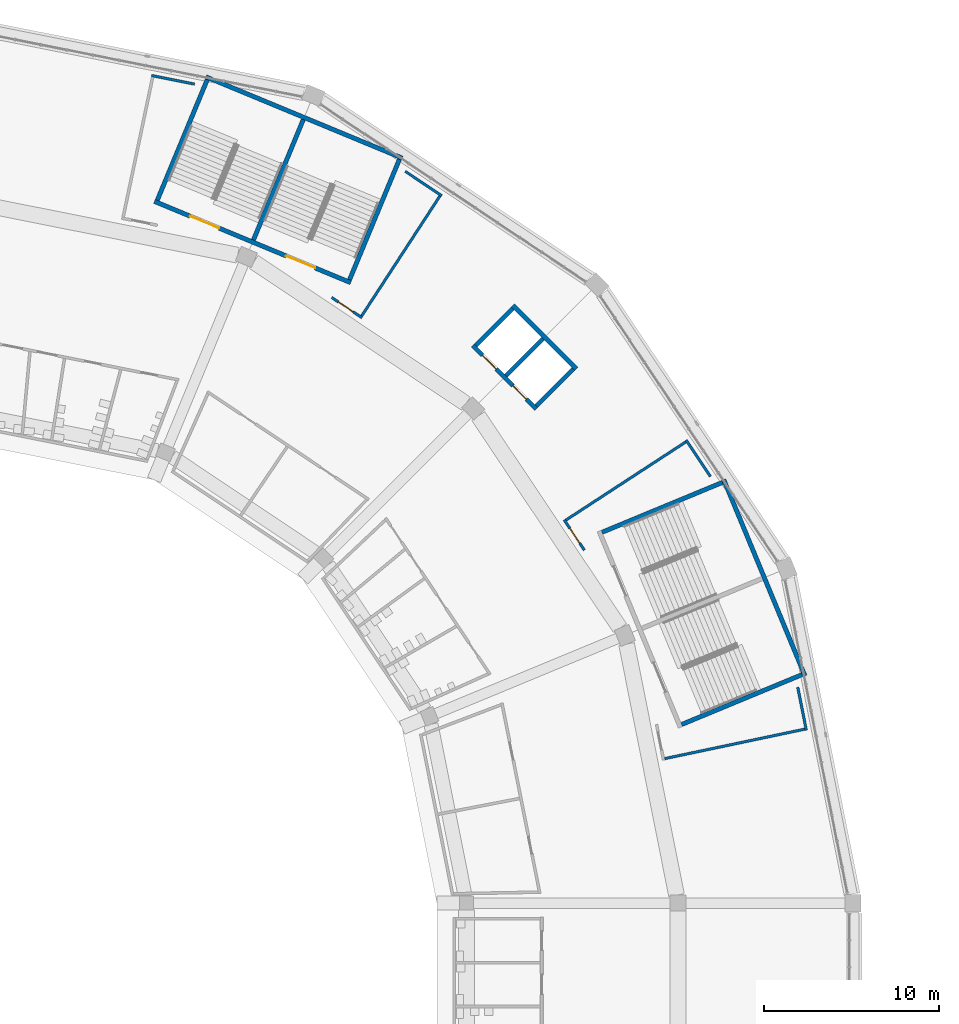
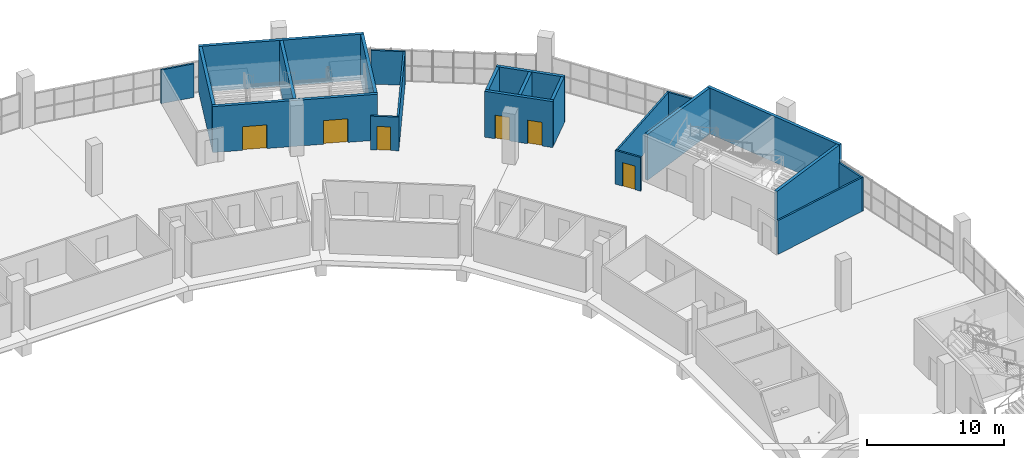
# One storey, part 90 of 199: 22 walls, 6 doors, 6 openings.
"""IFC4 building model written with IfcOpenShell, lengths in metres."""

from ifc_helpers import new_model, si_unit, direction, frame, frame_2d, origin, place, context, subcontext, project, spatial, rectangle, extrude, material, layer, layer_set, type_object, element, fill, save


model = new_model("IFC4")

# Units and contexts
model_context = context("Model", 3, precision=1e-05, world=origin(), true_north=direction((0.0, 1.0)))
body_context = subcontext(model_context, "Body", "Model", "MODEL_VIEW")
ifc_project = project(units=[si_unit("LENGTHUNIT", "METRE"), si_unit("AREAUNIT", "SQUARE_METRE"), si_unit("VOLUMEUNIT", "CUBIC_METRE"), si_unit("PLANEANGLEUNIT", "RADIAN"), si_unit("MASSUNIT", "GRAM", prefix="KILO")], contexts=[model_context])

# Site, building, storey
site_placement = place(None, origin())
site = spatial("IfcSite", under=ifc_project, at=site_placement, CompositionType="ELEMENT")
building_placement = place(site_placement, origin())
building = spatial("IfcBuilding", under=site, at=building_placement, Name="Ogive Plaza Stadium", CompositionType="ELEMENT")
storey_placement = place(building_placement, frame((0.0, 0.0, 4.5)))
storey = spatial("IfcBuildingStorey", under=building, at=storey_placement, Name="L01", CompositionType="ELEMENT", Elevation=4.5)

# Wall
ifc_material_1 = material(Name="Masonry blockwork", Category="masonry")
ifc_layer_1 = layer(ifc_material_1, 0.14990234375)
ifc_layer_set_1 = layer_set([ifc_layer_1], Name="Blockwork wall 150")
wall_type_1 = type_object("IfcWallType", Name="Blockwork wall 150", PredefinedType="SOLIDWALL", material=ifc_layer_set_1)
wall_1_placement = place(storey_placement, frame((46.345947265625, 99.34423828125, 0.0), z_axis=(0.0, 0.0, 1.0), x_axis=(-0.980778163577, 0.195126097309, 0.0)))
element("IfcWall", 1, at=wall_1_placement, inside=storey, type_object=wall_type_1, Name="Wall L01 B37", PredefinedType="SOLIDWALL", context=body_context, shape_type="SweptSolid", body=[
    extrude(rectangle(XDim=2.513671875, YDim=0.14990234375, at=frame_2d((1.2568359375, 0.0))), origin(), (0.0, 0.0, 1.0), 3.0),
])

# Wall, opening, door
wall_2_placement = place(storey_placement, frame((54.188232421875, 87.1376953125, 0.0), z_axis=(0.0, 0.0, 1.0), x_axis=(0.831435859109, -0.555620744921, 0.0)))
wall_2 = element("IfcWall", 2, at=wall_2_placement, inside=storey, type_object=wall_type_1, Name="Wall L01 B38", PredefinedType="SOLIDWALL", context=body_context, shape_type="SweptSolid", body=[
    extrude(rectangle(XDim=2.080078125, YDim=0.14990234375, at=frame_2d((1.0400390625, 0.0))), origin(), (0.0, 0.0, 1.0), 3.0),
])
opening_1_placement = place(wall_2_placement, frame((0.47216796875, 0.0, 0.0)))
opening_1 = element("IfcOpeningElement", 3, at=opening_1_placement, cuts=wall_2, Name="Opening D0596", PredefinedType="OPENING", context=body_context, shape_type="SweptSolid", body=[
    extrude(rectangle(XDim=1.0, YDim=2.10009765625, at=frame_2d((0.5, 1.050048828125))), frame((0.0, 0.074951171875, 0.0), z_axis=(0.0, -1.0, 0.0), x_axis=(1.0, 0.0, 0.0)), (0.0, 0.0, 1.0), 0.14990234375),
])
ifc_material_2 = material(Name="Steel ASTM A572 Grade 50", Category="steel")
door_type_1 = type_object("IfcDoorType", Name="Fire door FD60 1000 x 2100", OperationType="SINGLE_SWING_LEFT", PredefinedType="DOOR", material=ifc_material_2)
door_1_placement = place(opening_1_placement, origin())
door_1 = element("IfcDoor", 4, at=door_1_placement, inside=storey, type_object=door_type_1, Name="Club Store B38 door", OperationType="SINGLE_SWING_RIGHT", OverallHeight=2.10009765625, OverallWidth=1.0, PredefinedType="DOOR", context=body_context, shape_type="SweptSolid", body=[
    extrude(rectangle(XDim=1.0, YDim=2.10009765625, at=frame_2d((0.5, 1.050048828125))), frame((0.0, 0.02490234375, 0.0), z_axis=(0.0, -1.0, 0.0), x_axis=(1.0, 0.0, 0.0)), (0.0, 0.0, 1.0), 0.050048828125),
])
fill(opening_1, door_1)

# Walls
wall_3_placement = place(storey_placement, frame((58.39404296875, 94.353759765625, 0.0), z_axis=(0.0, 0.0, 1.0), x_axis=(0.83145207432, -0.555596479569, 0.0)))
element("IfcWall", 5, at=wall_3_placement, inside=storey, type_object=wall_type_1, Name="Wall L01 B38", PredefinedType="SOLIDWALL", context=body_context, shape_type="SweptSolid", body=[
    extrude(rectangle(XDim=2.513427734375, YDim=0.14990234375, at=frame_2d((1.2568359375, 0.0))), origin(), (0.0, 0.0, 1.0), 3.0),
])
wall_4_placement = place(storey_placement, frame((55.901611328125, 86.081298828125, 0.0), z_axis=(0.0, 0.0, 1.0), x_axis=(0.546272327191, 0.837607631618, 0.0)))
element("IfcWall", 6, at=wall_4_placement, inside=storey, type_object=wall_type_1, Name="Wall L01 B38", PredefinedType="SOLIDWALL", context=body_context, shape_type="SweptSolid", body=[
    extrude(rectangle(XDim=8.18994140625, YDim=0.14990234375, at=frame_2d((4.094970703125, 0.0))), origin(), (0.0, 0.0, 1.0), 3.0),
])
wall_5_placement = place(storey_placement, frame((80.84423828125, 64.845947265625, 0.0), z_axis=(0.0, 0.0, 1.0), x_axis=(0.195126097309, -0.980778163577, 0.0)))
element("IfcWall", 7, at=wall_5_placement, inside=storey, type_object=wall_type_1, Name="Wall L01 B40", PredefinedType="SOLIDWALL", context=body_context, shape_type="SweptSolid", body=[
    extrude(rectangle(XDim=2.513671875, YDim=0.14990234375, at=frame_2d((1.2568359375, 0.0))), origin(), (0.0, 0.0, 1.0), 3.0),
])
wall_6_placement = place(storey_placement, frame((73.232177734375, 60.7587890625, 0.0), z_axis=(0.0, 0.0, 1.0), x_axis=(0.978549468707, 0.206011983374, 0.0)))
element("IfcWall", 8, at=wall_6_placement, inside=storey, type_object=wall_type_1, Name="Wall L01 B40", PredefinedType="SOLIDWALL", context=body_context, shape_type="SweptSolid", body=[
    extrude(rectangle(XDim=8.190185546875, YDim=0.14990234375, at=frame_2d((4.09521484375, 0.0))), origin(), (0.0, 0.0, 1.0), 3.0),
])

# Wall, openings, doors
ifc_material_3 = material(Name="Concrete C40/50", Category="concrete")
ifc_layer_2 = layer(ifc_material_3, 0.25)
ifc_layer_set_2 = layer_set([ifc_layer_2], Name="Concrete C40/50")
wall_type_2 = type_object("IfcWallType", Name="Core wall 250", PredefinedType="SHEAR", material=ifc_layer_set_2)
wall_7_placement = place(storey_placement, frame((55.27392578125, 87.98486328125, 0.0), z_axis=(0.0, 0.0, 1.0), x_axis=(-0.923877480578, 0.382688386133, 0.0)))
wall_7 = element("IfcWall", 9, at=wall_7_placement, inside=storey, type_object=wall_type_2, Name="Stair core R38 inner wall", PredefinedType="SHEAR", context=body_context, shape_type="SweptSolid", body=[
    extrude(rectangle(XDim=12.14990234375, YDim=0.25, at=frame_2d((6.074951171875, 0.0))), origin(), (0.0, 0.0, 1.0), 4.090087890625),
])
opening_2_placement = place(wall_7_placement, frame((2.199951171875, 0.0, 0.0)))
opening_2 = element("IfcOpeningElement", 10, at=opening_2_placement, cuts=wall_7, Name="Opening D0275", PredefinedType="OPENING", context=body_context, shape_type="SweptSolid", body=[
    extrude(rectangle(XDim=1.800048828125, YDim=2.10009765625, at=frame_2d((0.89990234375, 1.050048828125))), frame((0.0, 0.125, 0.0), z_axis=(0.0, -1.0, 0.0), x_axis=(1.0, 0.0, 0.0)), (0.0, 0.0, 1.0), 0.25),
])
opening_3_placement = place(wall_7_placement, frame((8.14990234375, 0.0, 0.0)))
opening_3 = element("IfcOpeningElement", 11, at=opening_3_placement, cuts=wall_7, Name="Opening D0276", PredefinedType="OPENING", context=body_context, shape_type="SweptSolid", body=[
    extrude(rectangle(XDim=1.800048828125, YDim=2.10009765625, at=frame_2d((0.89990234375, 1.050048828125))), frame((0.0, 0.125, 0.0), z_axis=(0.0, -1.0, 0.0), x_axis=(1.0, 0.0, 0.0)), (0.0, 0.0, 1.0), 0.25),
])
ifc_material_4 = material(Name="Steel ASTM A572 Grade 50", Category="steel")
door_type_2 = type_object("IfcDoorType", Name="Fire door FD90 pair 1800 x 2100", OperationType="DOUBLE_DOOR_SINGLE_SWING", PredefinedType="DOOR", material=ifc_material_4)
door_2_placement = place(opening_2_placement, origin())
door_2 = element("IfcDoor", 12, at=door_2_placement, inside=storey, type_object=door_type_2, Name="Exit stair R38A door L01", OperationType="DOUBLE_DOOR_SINGLE_SWING", OverallHeight=2.10009765625, OverallWidth=1.800048828125, PredefinedType="DOOR", context=body_context, shape_type="SweptSolid", body=[
    extrude(rectangle(XDim=1.800048828125, YDim=2.10009765625, at=frame_2d((0.89990234375, 1.050048828125))), frame((0.0, 0.02490234375, 0.0), z_axis=(0.0, -1.0, 0.0), x_axis=(1.0, 0.0, 0.0)), (0.0, 0.0, 1.0), 0.050048828125),
])
fill(opening_2, door_2)
door_3_placement = place(opening_3_placement, origin())
door_3 = element("IfcDoor", 13, at=door_3_placement, inside=storey, type_object=door_type_2, Name="Exit stair R38B door L01", OperationType="DOUBLE_DOOR_SINGLE_SWING", OverallHeight=2.10009765625, OverallWidth=1.800048828125, PredefinedType="DOOR", context=body_context, shape_type="SweptSolid", body=[
    extrude(rectangle(XDim=1.800048828125, YDim=2.10009765625, at=frame_2d((0.89990234375, 1.050048828125))), frame((0.0, 0.02490234375, 0.0), z_axis=(0.0, -1.0, 0.0), x_axis=(1.0, 0.0, 0.0)), (0.0, 0.0, 1.0), 0.050048828125),
])
fill(opening_3, door_3)

# Walls
wall_8_placement = place(storey_placement, frame((58.224365234375, 95.108154296875, 0.0), z_axis=(0.0, 0.0, 1.0), x_axis=(-0.923884584817, 0.382671234792, 0.0)))
element("IfcWall", 14, at=wall_8_placement, inside=storey, type_object=wall_type_2, Name="Stair core R38 outer wall", PredefinedType="SHEAR", context=body_context, shape_type="SweptSolid", body=[
    extrude(rectangle(XDim=12.14990234375, YDim=0.25, at=frame_2d((6.074951171875, 0.0))), origin(), (0.0, 0.0, 1.0), 4.090087890625),
])
for number, where, z_axis, x_axis, name in (
    (15, (55.206298828125, 88.148193359375, 0.0), (0.0, 0.0, 1.0), (0.382664910245, 0.923887204407, 0.0), "Stair core R38 side wall"),
    (16, (44.212158203125, 92.7021484375, 0.0), (0.0, 0.0, 1.0), (0.382664910245, 0.923887204407, 0.0), "Stair core R38 side wall"),
):
    element("IfcWall", number, at=place(storey_placement, frame(where, z_axis=z_axis, x_axis=x_axis)), inside=storey, type_object=wall_type_2, Name=name, PredefinedType="SHEAR", context=body_context, shape_type="SweptSolid", body=[
        extrude(rectangle(XDim=7.460205078125, YDim=0.25, at=frame_2d((3.72998046875, 0.0))), origin(), (0.0, 0.0, 1.0), 4.090087890625),
    ])
wall_9_placement = place(storey_placement, frame((49.709228515625, 90.42529296875, 0.0), z_axis=(0.0, 0.0, 1.0), x_axis=(0.382676480483, 0.923882412044, 0.0)))
element("IfcWall", 17, at=wall_9_placement, inside=storey, type_object=wall_type_2, Name="Stair core R38 centre wall", PredefinedType="SHEAR", context=body_context, shape_type="SweptSolid", body=[
    extrude(rectangle(XDim=7.4599609375, YDim=0.25, at=frame_2d((3.72998046875, 0.0))), origin(), (0.0, 0.0, 1.0), 4.090087890625),
])
wall_10_placement = place(storey_placement, frame((81.257568359375, 65.499267578125, 0.0), z_axis=(0.0, 0.0, 1.0), x_axis=(-0.382671234792, 0.923884584817, 0.0)))
element("IfcWall", 18, at=wall_10_placement, inside=storey, type_object=wall_type_2, Name="Stair core R40 outer wall", PredefinedType="SHEAR", context=body_context, shape_type="SweptSolid", body=[
    extrude(rectangle(XDim=12.14990234375, YDim=0.25, at=frame_2d((6.074951171875, 0.0))), origin(), (0.0, 0.0, 1.0), 4.090087890625),
])
for number, where, z_axis, x_axis, name in (
    (19, (74.2021484375, 62.712158203125, 0.0), (0.0, 0.0, 1.0), (0.923887204407, 0.382664910245, 0.0), "Stair core R40 side wall"),
    (20, (69.648193359375, 73.706298828125, 0.0), (0.0, 0.0, 1.0), (0.923887204407, 0.382664910245, 0.0), "Stair core R40 side wall"),
):
    element("IfcWall", number, at=place(storey_placement, frame(where, z_axis=z_axis, x_axis=x_axis)), inside=storey, type_object=wall_type_2, Name=name, PredefinedType="SHEAR", context=body_context, shape_type="SweptSolid", body=[
        extrude(rectangle(XDim=7.460205078125, YDim=0.25, at=frame_2d((3.72998046875, 0.0))), origin(), (0.0, 0.0, 1.0), 4.090087890625),
    ])

# Wall, openings, doors
wall_11_placement = place(storey_placement, frame((65.890625, 80.7490234375, 0.0), z_axis=(0.0, 0.0, 1.0), x_axis=(-0.707106781187, 0.707106781187, 0.0)))
wall_11 = element("IfcWall", 21, at=wall_11_placement, inside=storey, type_object=wall_type_2, Name="Lift core LP39 landing wall", PredefinedType="SHEAR", context=body_context, shape_type="SweptSolid", body=[
    extrude(rectangle(XDim=5.14990234375, YDim=0.25, at=frame_2d((2.574951171875, 0.0))), origin(), (0.0, 0.0, 1.0), 4.090087890625),
])
opening_4_placement = place(wall_11_placement, frame((0.800048828125, 0.0, 0.0)))
opening_4 = element("IfcOpeningElement", 22, at=opening_4_placement, cuts=wall_11, Name="Opening LD095", PredefinedType="OPENING", context=body_context, shape_type="SweptSolid", body=[
    extrude(rectangle(XDim=1.10009765625, YDim=2.10009765625, at=frame_2d((0.550048828125, 1.050048828125))), frame((0.0, 0.125, 0.0), z_axis=(0.0, -1.0, 0.0), x_axis=(1.0, 0.0, 0.0)), (0.0, 0.0, 1.0), 0.25),
])
opening_5_placement = place(wall_11_placement, frame((3.25, 0.0, 0.0)))
opening_5 = element("IfcOpeningElement", 23, at=opening_5_placement, cuts=wall_11, Name="Opening LD096", PredefinedType="OPENING", context=body_context, shape_type="SweptSolid", body=[
    extrude(rectangle(XDim=1.10009765625, YDim=2.10009765625, at=frame_2d((0.550048828125, 1.050048828125))), frame((0.0, 0.125, 0.0), z_axis=(0.0, -1.0, 0.0), x_axis=(1.0, 0.0, 0.0)), (0.0, 0.0, 1.0), 0.25),
])
ifc_material_5 = material(Name="Steel ASTM A572 Grade 50", Category="steel")
door_type_3 = type_object("IfcDoorType", Name="Landing door 1100 x 2100", OperationType="SLIDING_TO_LEFT", PredefinedType="DOOR", material=ifc_material_5)
door_4_placement = place(opening_4_placement, origin())
door_4 = element("IfcDoor", 24, at=door_4_placement, inside=storey, type_object=door_type_3, Name="Lift landing door LP39 L01", OperationType="SLIDING_TO_LEFT", OverallHeight=2.10009765625, OverallWidth=1.10009765625, PredefinedType="DOOR", context=body_context, shape_type="SweptSolid", body=[
    extrude(rectangle(XDim=1.10009765625, YDim=2.10009765625, at=frame_2d((0.550048828125, 1.050048828125))), frame((0.0, 0.02490234375, 0.0), z_axis=(0.0, -1.0, 0.0), x_axis=(1.0, 0.0, 0.0)), (0.0, 0.0, 1.0), 0.050048828125),
])
fill(opening_4, door_4)
door_5_placement = place(opening_5_placement, origin())
door_5 = element("IfcDoor", 25, at=door_5_placement, inside=storey, type_object=door_type_3, Name="Lift landing door LP39 L01", OperationType="SLIDING_TO_LEFT", OverallHeight=2.10009765625, OverallWidth=1.10009765625, PredefinedType="DOOR", context=body_context, shape_type="SweptSolid", body=[
    extrude(rectangle(XDim=1.10009765625, YDim=2.10009765625, at=frame_2d((0.550048828125, 1.050048828125))), frame((0.0, 0.02490234375, 0.0), z_axis=(0.0, -1.0, 0.0), x_axis=(1.0, 0.0, 0.0)), (0.0, 0.0, 1.0), 0.050048828125),
])
fill(opening_5, door_5)

# Walls
wall_12_placement = place(storey_placement, frame((68.188720703125, 83.047119140625, 0.0), z_axis=(0.0, 0.0, 1.0), x_axis=(-0.707106781187, 0.707106781187, 0.0)))
element("IfcWall", 26, at=wall_12_placement, inside=storey, type_object=wall_type_2, Name="Lift core LP39 rear wall", PredefinedType="SHEAR", context=body_context, shape_type="SweptSolid", body=[
    extrude(rectangle(XDim=5.14990234375, YDim=0.25, at=frame_2d((2.574951171875, 0.0))), origin(), (0.0, 0.0, 1.0), 4.090087890625),
])
for number, where, z_axis, x_axis, name in (
    (27, (65.890625, 80.92578125, 0.0), (0.0, 0.0, 1.0), (0.707066087907, 0.707147472125, 0.0), "Lift core LP39 side wall"),
    (28, (62.42578125, 84.390625, 0.0), (0.0, 0.0, 1.0), (0.707147472125, 0.707066087907, 0.0), "Lift core LP39 side wall"),
):
    element("IfcWall", number, at=place(storey_placement, frame(where, z_axis=z_axis, x_axis=x_axis)), inside=storey, type_object=wall_type_2, Name=name, PredefinedType="SHEAR", context=body_context, shape_type="SweptSolid", body=[
        extrude(rectangle(XDim=2.999755859375, YDim=0.25, at=frame_2d((1.5, 0.0))), origin(), (0.0, 0.0, 1.0), 4.090087890625),
    ])
wall_13_placement = place(storey_placement, frame((64.158203125, 82.658203125, 0.0), z_axis=(0.0, 0.0, 1.0), x_axis=(0.707106781187, 0.707106781187, 0.0)))
element("IfcWall", 29, at=wall_13_placement, inside=storey, type_object=wall_type_2, Name="Lift core LP39 centre wall", PredefinedType="SHEAR", context=body_context, shape_type="SweptSolid", body=[
    extrude(rectangle(XDim=3.0, YDim=0.25, at=frame_2d((1.5, 0.0))), origin(), (0.0, 0.0, 1.0), 4.090087890625),
])

# Wall, opening, door
ifc_material_6 = material(Name="Gypsum board partition", Category="gypsum")
ifc_layer_3 = layer(ifc_material_6, 0.14990234375)
ifc_layer_set_3 = layer_set([ifc_layer_3], Name="Partition 150")
wall_type_3 = type_object("IfcWallType", Name="Partition 150", PredefinedType="PARTITIONING", material=ifc_layer_set_3)
wall_14_placement = place(storey_placement, frame((68.6376953125, 72.688232421875, 0.0), z_axis=(0.0, 0.0, 1.0), x_axis=(-0.555620744921, 0.831435859109, 0.0)))
wall_14 = element("IfcWall", 30, at=wall_14_placement, inside=storey, type_object=wall_type_3, Name="Wall L01 B39", PredefinedType="PARTITIONING", context=body_context, shape_type="SweptSolid", body=[
    extrude(rectangle(XDim=2.080078125, YDim=0.14990234375, at=frame_2d((1.0400390625, 0.0))), origin(), (0.0, 0.0, 1.0), 3.0),
])
opening_6_placement = place(wall_14_placement, frame((0.47216796875, 0.0, 0.0)))
opening_6 = element("IfcOpeningElement", 31, at=opening_6_placement, cuts=wall_14, Name="Opening D0601", PredefinedType="OPENING", context=body_context, shape_type="SweptSolid", body=[
    extrude(rectangle(XDim=1.0, YDim=2.10009765625, at=frame_2d((0.5, 1.050048828125))), frame((0.0, 0.074951171875, 0.0), z_axis=(0.0, -1.0, 0.0), x_axis=(1.0, 0.0, 0.0)), (0.0, 0.0, 1.0), 0.14990234375),
])
ifc_material_7 = material(Name="Steel ASTM A572 Grade 50", Category="steel")
door_type_4 = type_object("IfcDoorType", Name="Door 1000 x 2100", OperationType="SINGLE_SWING_LEFT", PredefinedType="DOOR", material=ifc_material_7)
door_6_placement = place(opening_6_placement, origin())
door_6 = element("IfcDoor", 32, at=door_6_placement, inside=storey, type_object=door_type_4, Name="Club Reception B39 door", OperationType="SINGLE_SWING_RIGHT", OverallHeight=2.10009765625, OverallWidth=1.0, PredefinedType="DOOR", context=body_context, shape_type="SweptSolid", body=[
    extrude(rectangle(XDim=1.0, YDim=2.10009765625, at=frame_2d((0.5, 1.050048828125))), frame((0.0, 0.02490234375, 0.0), z_axis=(0.0, -1.0, 0.0), x_axis=(1.0, 0.0, 0.0)), (0.0, 0.0, 1.0), 0.050048828125),
])
fill(opening_6, door_6)

# Walls
wall_15_placement = place(storey_placement, frame((75.853759765625, 76.89404296875, 0.0), z_axis=(0.0, 0.0, 1.0), x_axis=(-0.555596479569, 0.83145207432, 0.0)))
element("IfcWall", 33, at=wall_15_placement, inside=storey, type_object=wall_type_3, Name="Wall L01 B39", PredefinedType="PARTITIONING", context=body_context, shape_type="SweptSolid", body=[
    extrude(rectangle(XDim=2.513427734375, YDim=0.14990234375, at=frame_2d((1.2568359375, 0.0))), origin(), (0.0, 0.0, 1.0), 3.0),
])
wall_16_placement = place(storey_placement, frame((67.581298828125, 74.401611328125, 0.0), z_axis=(0.0, 0.0, 1.0), x_axis=(0.837607631618, 0.546272327191, 0.0)))
element("IfcWall", 34, at=wall_16_placement, inside=storey, type_object=wall_type_3, Name="Wall L01 B39", PredefinedType="PARTITIONING", context=body_context, shape_type="SweptSolid", body=[
    extrude(rectangle(XDim=8.18994140625, YDim=0.14990234375, at=frame_2d((4.094970703125, 0.0))), origin(), (0.0, 0.0, 1.0), 3.0),
])

save(model, "model.ifc")
